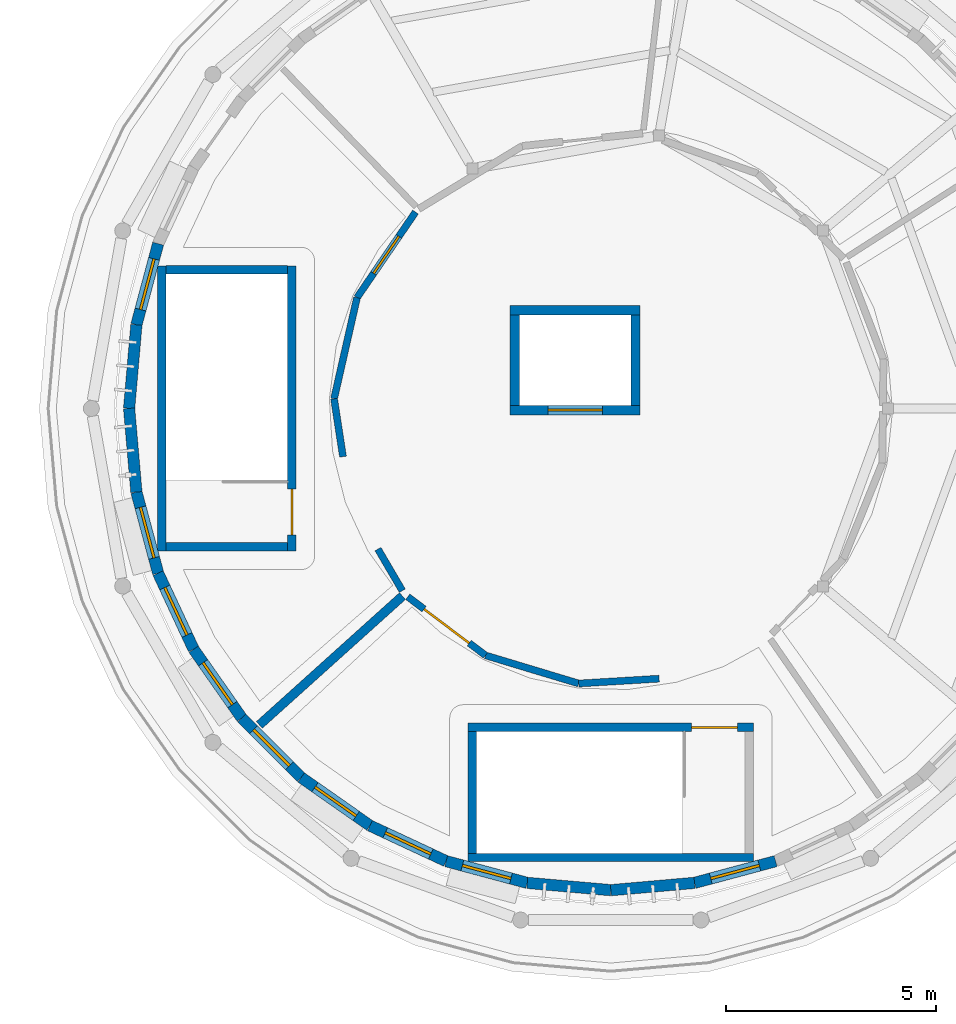
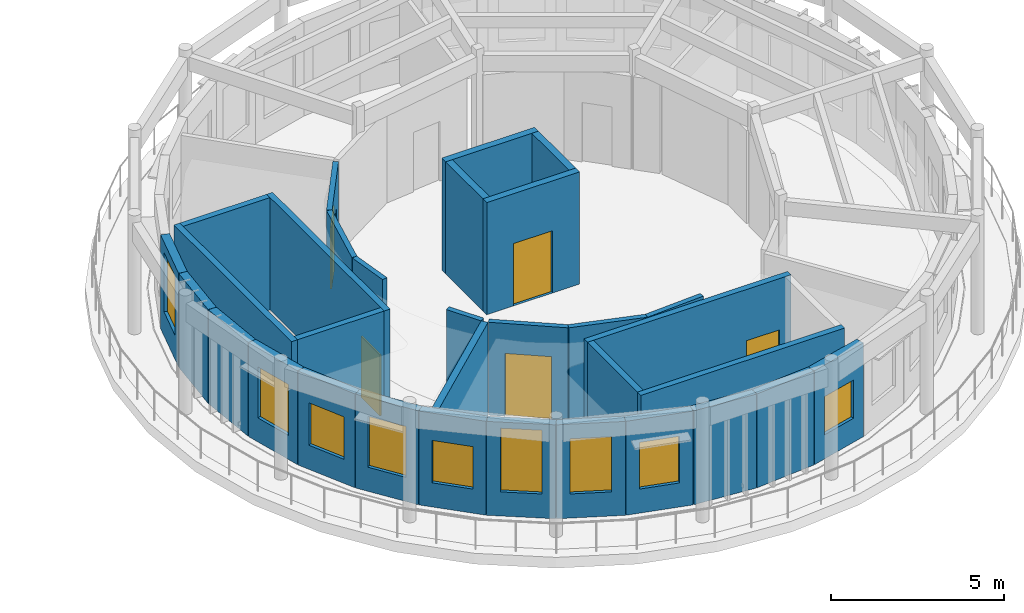
# One storey, part 16 of 30: 32 walls, 9 windows, 5 doors, 14 openings.
"""IFC4 building model written with IfcOpenShell, lengths in metres."""

from ifc_helpers import new_model, si_unit, direction, frame, frame_2d, origin, place, context, subcontext, project, spatial, rectangle, extrude, material, layer, layer_set, type_object, element, fill, save


model = new_model("IFC4")

# Units and contexts
model_context = context("Model", 3, precision=1e-05, world=origin(), true_north=direction((0.0, 1.0)))
body_context = subcontext(model_context, "Body", "Model", "MODEL_VIEW")
ifc_project = project(units=[si_unit("LENGTHUNIT", "METRE"), si_unit("AREAUNIT", "SQUARE_METRE"), si_unit("VOLUMEUNIT", "CUBIC_METRE"), si_unit("PLANEANGLEUNIT", "RADIAN"), si_unit("MASSUNIT", "GRAM", prefix="KILO")], contexts=[model_context])

# Site, building, storey
site_placement = place(None, origin())
site = spatial("IfcSite", under=ifc_project, at=site_placement, CompositionType="ELEMENT")
building_placement = place(site_placement, origin())
building = spatial("IfcBuilding", under=site, at=building_placement, Name="Aldenvaro Health Centre", CompositionType="ELEMENT")
storey_placement = place(building_placement, frame((0.0, 0.0, 17.14990234375)))
storey = spatial("IfcBuildingStorey", under=building, at=storey_placement, Name="L04", CompositionType="ELEMENT", Elevation=17.14990234375)

# Wall, opening, door
ifc_material_1 = material(Name="Gypsum Stud Acoustic Assembly")
ifc_layer_1 = layer(ifc_material_1, 0.1650390625, Name="Gypsum Stud Acoustic Assembly")
ifc_layer_set_1 = layer_set([ifc_layer_1], Name="Gypsum Stud Acoustic Assembly")
wall_type_1 = type_object("IfcWallType", Name="WL-COR-165", PredefinedType="PARTITIONING", material=ifc_layer_set_1)
wall_1_placement = place(storey_placement, frame((13.844970703125, 23.178955078125, 0.0), z_axis=(0.0, 0.0, 1.0), x_axis=(-0.564379150031, -0.825515702462, 0.0)))
wall_1 = element("IfcWall", 1, at=wall_1_placement, inside=storey, type_object=wall_type_1, Name="D5 L04 corridor wall 01.1", PredefinedType="PARTITIONING", context=body_context, shape_type="SweptSolid", body=[
    extrude(rectangle(XDim=2.469970703125, YDim=0.1650390625, at=frame_2d((1.23486328125, 0.0))), origin(), (0.0, 0.0, 1.0), 3.279052734375),
])
opening_1_placement = place(wall_1_placement, frame((0.699951171875, 0.0, 0.0)))
opening_1 = element("IfcOpeningElement", 2, at=opening_1_placement, cuts=wall_1, Name="Opening D-21", PredefinedType="OPENING", context=body_context, shape_type="SweptSolid", body=[
    extrude(rectangle(XDim=1.070068359375, YDim=2.199951171875, at=frame_2d((0.53515625, 1.10009765625))), frame((0.0, 0.092529296875, 0.0), z_axis=(0.0, -1.0, 0.0), x_axis=(1.0, 0.0, 0.0)), (0.0, 0.0, 1.0), 0.18505859375),
])
ifc_material_2 = material(Name="Exam Suite Timber Door", Category="wood")
door_type_1 = type_object("IfcDoorType", Name="DR-CLN-21", OperationType="NOTDEFINED", PredefinedType="DOOR", material=ifc_material_2)
door_1_placement = place(opening_1_placement, origin())
door_1 = element("IfcDoor", 3, at=door_1_placement, inside=storey, type_object=door_type_1, Name="Clinical Quality Assurance Office Door", OperationType="SINGLE_SWING_LEFT", OverallHeight=2.199951171875, OverallWidth=1.070068359375, PredefinedType="DOOR", context=body_context, shape_type="SweptSolid", body=[
    extrude(rectangle(XDim=1.070068359375, YDim=2.199951171875, at=frame_2d((0.53515625, 1.10009765625))), frame((0.0, 0.02490234375, 0.0), z_axis=(0.0, -1.0, 0.0), x_axis=(1.0, 0.0, 0.0)), (0.0, 0.0, 1.0), 0.050048828125),
])
fill(opening_1, door_1)

# Walls
wall_2_placement = place(storey_placement, frame((12.450927734375, 21.139892578125, 0.0), z_axis=(0.0, 0.0, 1.0), x_axis=(-0.221300832748, -0.975205589312, 0.0)))
element("IfcWall", 4, at=wall_2_placement, inside=storey, type_object=wall_type_1, Name="D5 L04 corridor wall 01.2", PredefinedType="PARTITIONING", context=body_context, shape_type="SweptSolid", body=[
    extrude(rectangle(XDim=2.47119140625, YDim=0.1650390625, at=frame_2d((1.235595703125, 0.0))), origin(), (0.0, 0.0, 1.0), 3.279052734375),
])
wall_3_placement = place(storey_placement, frame((11.904052734375, 18.72998046875, 0.0), z_axis=(0.0, 0.0, 1.0), x_axis=(0.15247764233, -0.988306920238, 0.0)))
element("IfcWall", 5, at=wall_3_placement, inside=storey, type_object=wall_type_1, Name="D5 L04 corridor wall 01.3", PredefinedType="PARTITIONING", context=body_context, shape_type="SweptSolid", body=[
    extrude(rectangle(XDim=1.396240234375, YDim=0.1650390625, at=frame_2d((0.6982421875, 0.0))), origin(), (0.0, 0.0, 1.0), 3.279052734375),
])
wall_4_placement = place(storey_placement, frame((12.949951171875, 15.14794921875, 0.0), z_axis=(0.0, 0.0, 1.0), x_axis=(0.505179201569, -0.863014469347, 0.0)))
element("IfcWall", 6, at=wall_4_placement, inside=storey, type_object=wall_type_1, Name="D5 L04 corridor wall 01.4", PredefinedType="PARTITIONING", context=body_context, shape_type="SweptSolid", body=[
    extrude(rectangle(XDim=1.148193359375, YDim=0.1650390625, at=frame_2d((0.57421875, 0.0))), origin(), (0.0, 0.0, 1.0), 3.279052734375),
])

# Wall, opening, door
wall_5_placement = place(storey_placement, frame((13.660888671875, 14.010986328125, 0.0), z_axis=(0.0, 0.0, 1.0), x_axis=(0.798557639329, -0.601918347177, 0.0)))
wall_5 = element("IfcWall", 7, at=wall_5_placement, inside=storey, type_object=wall_type_1, Name="D5 L04 corridor wall 02.1", PredefinedType="PARTITIONING", context=body_context, shape_type="SweptSolid", body=[
    extrude(rectangle(XDim=2.3193359375, YDim=0.1650390625, at=frame_2d((1.15966796875, 0.0))), origin(), (0.0, 0.0, 1.0), 3.279052734375),
])
opening_2_placement = place(wall_5_placement, frame((0.485107421875, 0.0, 0.0)))
opening_2 = element("IfcOpeningElement", 8, at=opening_2_placement, cuts=wall_5, Name="Opening XD-02", PredefinedType="OPENING", context=body_context, shape_type="SweptSolid", body=[
    extrude(rectangle(XDim=1.35009765625, YDim=2.219970703125, at=frame_2d((0.675048828125, 1.10986328125))), frame((0.0, 0.092529296875, 0.0), z_axis=(0.0, -1.0, 0.0), x_axis=(1.0, 0.0, 0.0)), (0.0, 0.0, 1.0), 0.18505859375),
])
ifc_material_3 = material(Name="RF-Shielded MRI Suite Door")
door_type_2 = type_object("IfcDoorType", Name="DR-IMG-135", OperationType="NOTDEFINED", PredefinedType="DOOR", material=ifc_material_3)
door_2_placement = place(opening_2_placement, origin())
door_2 = element("IfcDoor", 9, at=door_2_placement, inside=storey, type_object=door_type_2, Name="Medical Physics Calibration Lab Door", OperationType="SINGLE_SWING_RIGHT", OverallHeight=2.219970703125, OverallWidth=1.35009765625, PredefinedType="DOOR", context=body_context, shape_type="SweptSolid", body=[
    extrude(rectangle(XDim=1.35009765625, YDim=2.219970703125, at=frame_2d((0.675048828125, 1.10986328125))), frame((0.0, 0.02490234375, 0.0), z_axis=(0.0, -1.0, 0.0), x_axis=(1.0, 0.0, 0.0)), (0.0, 0.0, 1.0), 0.050048828125),
])
fill(opening_2, door_2)

# Walls
wall_6_placement = place(storey_placement, frame((15.512939453125, 12.614990234375, 0.0), z_axis=(0.0, 0.0, 1.0), x_axis=(0.957393612843, -0.288786201346, 0.0)))
element("IfcWall", 10, at=wall_6_placement, inside=storey, type_object=wall_type_1, Name="D5 L04 corridor wall 02.2", PredefinedType="PARTITIONING", context=body_context, shape_type="SweptSolid", body=[
    extrude(rectangle(XDim=2.31982421875, YDim=0.1650390625, at=frame_2d((1.159912109375, 0.0))), origin(), (0.0, 0.0, 1.0), 3.279052734375),
])
wall_7_placement = place(storey_placement, frame((17.73388671875, 11.945068359375, 0.0), z_axis=(0.0, 0.0, 1.0), x_axis=(0.998203932851, 0.059907499028, 0.0)))
element("IfcWall", 11, at=wall_7_placement, inside=storey, type_object=wall_type_1, Name="D5 L04 corridor wall 02.3", PredefinedType="PARTITIONING", context=body_context, shape_type="SweptSolid", body=[
    extrude(rectangle(XDim=1.91943359375, YDim=0.1650390625, at=frame_2d((0.959716796875, 0.0))), origin(), (0.0, 0.0, 1.0), 3.279052734375),
])

# Wall, opening, window
ifc_material_4 = material(Name="Cross-laminated timber CLT E1", Category="wood")
ifc_layer_2 = layer(ifc_material_4, 0.27001953125, Name="Cross-laminated timber CLT E1", Category="wood")
ifc_layer_set_2 = layer_set([ifc_layer_2], Name="Cross-laminated timber CLT E1")
wall_type_2 = type_object("IfcWallType", Name="WL-EXT-270", PredefinedType="ELEMENTEDWALL", material=ifc_layer_set_2)
wall_8_placement = place(storey_placement, frame((22.426025390625, 7.7119140625, 0.0), z_axis=(0.0, 0.0, 1.0), x_axis=(-0.965944784715, -0.258748280927, 0.0)))
wall_8 = element("IfcWall", 12, at=wall_8_placement, inside=storey, type_object=wall_type_2, Name="D5 L04 exterior wall 07", PredefinedType="ELEMENTEDWALL", context=body_context, shape_type="SweptSolid", body=[
    extrude(rectangle(XDim=2.001220703125, YDim=0.27001953125, at=frame_2d((1.00048828125, 0.0))), origin(), (0.0, 0.0, 1.0), 3.314208984375),
])
opening_3_placement = place(wall_8_placement, frame((0.40087890625, 0.0, 0.85009765625)))
opening_3 = element("IfcOpeningElement", 13, at=opening_3_placement, cuts=wall_8, Name="Opening W-36", PredefinedType="OPENING", context=body_context, shape_type="SweptSolid", body=[
    extrude(rectangle(XDim=1.199951171875, YDim=1.35009765625, at=frame_2d((0.60009765625, 0.675048828125))), frame((0.0, 0.14501953125, 0.0), z_axis=(0.0, -1.0, 0.0), x_axis=(1.0, 0.0, 0.0)), (0.0, 0.0, 1.0), 0.2900390625),
])
ifc_material_5 = material(Name="Thermally Broken Aluminium Low-E Glass", Category="aluminium")
window_type_1 = type_object("IfcWindowType", Name="WN-EXT-36", PartitioningType="SINGLE_PANEL", PredefinedType="WINDOW", material=ifc_material_5)
window_1_placement = place(opening_3_placement, origin())
window_1 = element("IfcWindow", 14, at=window_1_placement, inside=storey, type_object=window_type_1, Name="D5 L04 clinical window 07", OverallHeight=1.35009765625, OverallWidth=1.199951171875, PartitioningType="SINGLE_PANEL", PredefinedType="WINDOW", context=body_context, shape_type="SweptSolid", body=[
    extrude(rectangle(XDim=1.199951171875, YDim=1.35009765625, at=frame_2d((0.60009765625, 0.675048828125))), frame((0.0, 0.030029296875, 0.0), z_axis=(0.0, -1.0, 0.0), x_axis=(1.0, 0.0, 0.0)), (0.0, 0.0, 1.0), 0.06005859375),
])
fill(opening_3, window_1)

# Walls
for number, where, z_axis, x_axis, name in (
    (15, (20.492919921875, 7.194091796875, 0.0), (0.0, 0.0, 1.0), (-0.996207084861, -0.087014045266, 0.0), "D5 L04 exterior wall 08"),
    (16, (18.5, 7.02001953125, 0.0), (0.0, 0.0, 1.0), (-0.996207084861, 0.087014045266, 0.0), "D5 L04 exterior wall 09"),
):
    element("IfcWall", number, at=place(storey_placement, frame(where, z_axis=z_axis, x_axis=x_axis)), inside=storey, type_object=wall_type_2, Name=name, PredefinedType="ELEMENTEDWALL", context=body_context, shape_type="SweptSolid", body=[
        extrude(rectangle(XDim=2.00048828125, YDim=0.27001953125, at=frame_2d((1.000244140625, 0.0))), origin(), (0.0, 0.0, 1.0), 3.314208984375),
    ])

# Wall, opening, window
wall_9_placement = place(storey_placement, frame((16.507080078125, 7.194091796875, 0.0), z_axis=(0.0, 0.0, 1.0), x_axis=(-0.965944784715, 0.258748280927, 0.0)))
wall_9 = element("IfcWall", 17, at=wall_9_placement, inside=storey, type_object=wall_type_2, Name="D5 L04 exterior wall 10", PredefinedType="ELEMENTEDWALL", context=body_context, shape_type="SweptSolid", body=[
    extrude(rectangle(XDim=2.001220703125, YDim=0.27001953125, at=frame_2d((1.00048828125, 0.0))), origin(), (0.0, 0.0, 1.0), 3.314208984375),
])
opening_4_placement = place(wall_9_placement, frame((0.40087890625, 0.0, 0.85009765625)))
opening_4 = element("IfcOpeningElement", 18, at=opening_4_placement, cuts=wall_9, Name="Opening W-37", PredefinedType="OPENING", context=body_context, shape_type="SweptSolid", body=[
    extrude(rectangle(XDim=1.199951171875, YDim=1.64990234375, at=frame_2d((0.60009765625, 0.824951171875))), frame((0.0, 0.14501953125, 0.0), z_axis=(0.0, -1.0, 0.0), x_axis=(1.0, 0.0, 0.0)), (0.0, 0.0, 1.0), 0.2900390625),
])
window_type_2 = type_object("IfcWindowType", Name="WN-EXT-37", PartitioningType="SINGLE_PANEL", PredefinedType="WINDOW", material=ifc_material_5)
window_2_placement = place(opening_4_placement, origin())
window_2 = element("IfcWindow", 19, at=window_2_placement, inside=storey, type_object=window_type_2, Name="D5 L04 clinical window 10", OverallHeight=1.64990234375, OverallWidth=1.199951171875, PartitioningType="SINGLE_PANEL", PredefinedType="WINDOW", context=body_context, shape_type="SweptSolid", body=[
    extrude(rectangle(XDim=1.199951171875, YDim=1.64990234375, at=frame_2d((0.60009765625, 0.824951171875))), frame((0.0, 0.030029296875, 0.0), z_axis=(0.0, -1.0, 0.0), x_axis=(1.0, 0.0, 0.0)), (0.0, 0.0, 1.0), 0.06005859375),
])
fill(opening_4, window_2)

wall_10_placement = place(storey_placement, frame((14.573974609375, 7.7119140625, 0.0), z_axis=(0.0, 0.0, 1.0), x_axis=(-0.906245451167, 0.422751915713, 0.0)))
wall_10 = element("IfcWall", 20, at=wall_10_placement, inside=storey, type_object=wall_type_2, Name="D5 L04 exterior wall 11", PredefinedType="ELEMENTEDWALL", context=body_context, shape_type="SweptSolid", body=[
    extrude(rectangle(XDim=2.001708984375, YDim=0.27001953125, at=frame_2d((1.0009765625, 0.0))), origin(), (0.0, 0.0, 1.0), 3.314208984375),
])
opening_5_placement = place(wall_10_placement, frame((0.40087890625, 0.0, 0.85009765625)))
opening_5 = element("IfcOpeningElement", 21, at=opening_5_placement, cuts=wall_10, Name="Opening W-38", PredefinedType="OPENING", context=body_context, shape_type="SweptSolid", body=[
    extrude(rectangle(XDim=1.199951171875, YDim=1.949951171875, at=frame_2d((0.60009765625, 0.97509765625))), frame((0.0, 0.14501953125, 0.0), z_axis=(0.0, -1.0, 0.0), x_axis=(1.0, 0.0, 0.0)), (0.0, 0.0, 1.0), 0.2900390625),
])
window_type_3 = type_object("IfcWindowType", Name="WN-EXT-38", PartitioningType="SINGLE_PANEL", PredefinedType="WINDOW", material=ifc_material_5)
window_3_placement = place(opening_5_placement, origin())
window_3 = element("IfcWindow", 22, at=window_3_placement, inside=storey, type_object=window_type_3, Name="D5 L04 clinical window 11", OverallHeight=1.949951171875, OverallWidth=1.199951171875, PartitioningType="SINGLE_PANEL", PredefinedType="WINDOW", context=body_context, shape_type="SweptSolid", body=[
    extrude(rectangle(XDim=1.199951171875, YDim=1.949951171875, at=frame_2d((0.60009765625, 0.97509765625))), frame((0.0, 0.030029296875, 0.0), z_axis=(0.0, -1.0, 0.0), x_axis=(1.0, 0.0, 0.0)), (0.0, 0.0, 1.0), 0.06005859375),
])
fill(opening_5, window_3)

wall_11_placement = place(storey_placement, frame((12.760009765625, 8.55810546875, 0.0), z_axis=(0.0, 0.0, 1.0), x_axis=(-0.819065655169, 0.573699793029, 0.0)))
wall_11 = element("IfcWall", 23, at=wall_11_placement, inside=storey, type_object=wall_type_2, Name="D5 L04 exterior wall 12", PredefinedType="ELEMENTEDWALL", context=body_context, shape_type="SweptSolid", body=[
    extrude(rectangle(XDim=2.0009765625, YDim=0.27001953125, at=frame_2d((1.00048828125, 0.0))), origin(), (0.0, 0.0, 1.0), 3.314208984375),
])
opening_6_placement = place(wall_11_placement, frame((0.40087890625, 0.0, 0.85009765625)))
opening_6 = element("IfcOpeningElement", 24, at=opening_6_placement, cuts=wall_11, Name="Opening W-39", PredefinedType="OPENING", context=body_context, shape_type="SweptSolid", body=[
    extrude(rectangle(XDim=1.199951171875, YDim=2.25, at=frame_2d((0.60009765625, 1.125))), frame((0.0, 0.14501953125, 0.0), z_axis=(0.0, -1.0, 0.0), x_axis=(1.0, 0.0, 0.0)), (0.0, 0.0, 1.0), 0.2900390625),
])
window_type_4 = type_object("IfcWindowType", Name="WN-EXT-39", PartitioningType="SINGLE_PANEL", PredefinedType="WINDOW", material=ifc_material_5)
window_4_placement = place(opening_6_placement, origin())
window_4 = element("IfcWindow", 25, at=window_4_placement, inside=storey, type_object=window_type_4, Name="D5 L04 clinical window 12", OverallHeight=2.25, OverallWidth=1.199951171875, PartitioningType="SINGLE_PANEL", PredefinedType="WINDOW", context=body_context, shape_type="SweptSolid", body=[
    extrude(rectangle(XDim=1.199951171875, YDim=2.25, at=frame_2d((0.60009765625, 1.125))), frame((0.0, 0.030029296875, 0.0), z_axis=(0.0, -1.0, 0.0), x_axis=(1.0, 0.0, 0.0)), (0.0, 0.0, 1.0), 0.06005859375),
])
fill(opening_6, window_4)

wall_12_placement = place(storey_placement, frame((11.12109375, 9.7060546875, 0.0), z_axis=(0.0, 0.0, 1.0), x_axis=(-0.707106781187, 0.707106781187, 0.0)))
wall_12 = element("IfcWall", 26, at=wall_12_placement, inside=storey, type_object=wall_type_2, Name="D5 L04 exterior wall 13", PredefinedType="ELEMENTEDWALL", context=body_context, shape_type="SweptSolid", body=[
    extrude(rectangle(XDim=2.001220703125, YDim=0.27001953125, at=frame_2d((1.00048828125, 0.0))), origin(), (0.0, 0.0, 1.0), 3.314208984375),
])
opening_7_placement = place(wall_12_placement, frame((0.39111328125, 0.0, 0.85009765625)))
opening_7 = element("IfcOpeningElement", 27, at=opening_7_placement, cuts=wall_12, Name="Opening W-40", PredefinedType="OPENING", context=body_context, shape_type="SweptSolid", body=[
    extrude(rectangle(XDim=1.219970703125, YDim=1.5, at=frame_2d((0.60986328125, 0.75))), frame((0.0, 0.14501953125, 0.0), z_axis=(0.0, -1.0, 0.0), x_axis=(1.0, 0.0, 0.0)), (0.0, 0.0, 1.0), 0.2900390625),
])
window_type_5 = type_object("IfcWindowType", Name="WN-EXT-40", PartitioningType="SINGLE_PANEL", PredefinedType="WINDOW", material=ifc_material_5)
window_5_placement = place(opening_7_placement, origin())
window_5 = element("IfcWindow", 28, at=window_5_placement, inside=storey, type_object=window_type_5, Name="D5 L04 clinical window 13", OverallHeight=1.5, OverallWidth=1.219970703125, PartitioningType="SINGLE_PANEL", PredefinedType="WINDOW", context=body_context, shape_type="SweptSolid", body=[
    extrude(rectangle(XDim=1.219970703125, YDim=1.5, at=frame_2d((0.60986328125, 0.75))), frame((0.0, 0.030029296875, 0.0), z_axis=(0.0, -1.0, 0.0), x_axis=(1.0, 0.0, 0.0)), (0.0, 0.0, 1.0), 0.06005859375),
])
fill(opening_7, window_5)

wall_13_placement = place(storey_placement, frame((9.7060546875, 11.12109375, 0.0), z_axis=(0.0, 0.0, 1.0), x_axis=(-0.573699793029, 0.819065655169, 0.0)))
wall_13 = element("IfcWall", 29, at=wall_13_placement, inside=storey, type_object=wall_type_2, Name="D5 L04 exterior wall 14", PredefinedType="ELEMENTEDWALL", context=body_context, shape_type="SweptSolid", body=[
    extrude(rectangle(XDim=2.0009765625, YDim=0.27001953125, at=frame_2d((1.00048828125, 0.0))), origin(), (0.0, 0.0, 1.0), 3.314208984375),
])
opening_8_placement = place(wall_13_placement, frame((0.39111328125, 0.0, 0.85009765625)))
opening_8 = element("IfcOpeningElement", 30, at=opening_8_placement, cuts=wall_13, Name="Opening W-41", PredefinedType="OPENING", context=body_context, shape_type="SweptSolid", body=[
    extrude(rectangle(XDim=1.219970703125, YDim=1.800048828125, at=frame_2d((0.60986328125, 0.89990234375))), frame((0.0, 0.14501953125, 0.0), z_axis=(0.0, -1.0, 0.0), x_axis=(1.0, 0.0, 0.0)), (0.0, 0.0, 1.0), 0.2900390625),
])
window_type_6 = type_object("IfcWindowType", Name="WN-EXT-41", PartitioningType="SINGLE_PANEL", PredefinedType="WINDOW", material=ifc_material_5)
window_6_placement = place(opening_8_placement, origin())
window_6 = element("IfcWindow", 31, at=window_6_placement, inside=storey, type_object=window_type_6, Name="D5 L04 clinical window 14", OverallHeight=1.800048828125, OverallWidth=1.219970703125, PartitioningType="SINGLE_PANEL", PredefinedType="WINDOW", context=body_context, shape_type="SweptSolid", body=[
    extrude(rectangle(XDim=1.219970703125, YDim=1.800048828125, at=frame_2d((0.60986328125, 0.89990234375))), frame((0.0, 0.030029296875, 0.0), z_axis=(0.0, -1.0, 0.0), x_axis=(1.0, 0.0, 0.0)), (0.0, 0.0, 1.0), 0.06005859375),
])
fill(opening_8, window_6)

wall_14_placement = place(storey_placement, frame((8.55810546875, 12.760009765625, 0.0), z_axis=(0.0, 0.0, 1.0), x_axis=(-0.422751915713, 0.906245451167, 0.0)))
wall_14 = element("IfcWall", 32, at=wall_14_placement, inside=storey, type_object=wall_type_2, Name="D5 L04 exterior wall 15", PredefinedType="ELEMENTEDWALL", context=body_context, shape_type="SweptSolid", body=[
    extrude(rectangle(XDim=2.001708984375, YDim=0.27001953125, at=frame_2d((1.0009765625, 0.0))), origin(), (0.0, 0.0, 1.0), 3.314208984375),
])
opening_9_placement = place(wall_14_placement, frame((0.3759765625, 0.0, 0.85009765625)))
opening_9 = element("IfcOpeningElement", 33, at=opening_9_placement, cuts=wall_14, Name="Opening W-42", PredefinedType="OPENING", context=body_context, shape_type="SweptSolid", body=[
    extrude(rectangle(XDim=1.25, YDim=1.5, at=frame_2d((0.625, 0.75))), frame((0.0, 0.14501953125, 0.0), z_axis=(0.0, -1.0, 0.0), x_axis=(1.0, 0.0, 0.0)), (0.0, 0.0, 1.0), 0.2900390625),
])
window_type_7 = type_object("IfcWindowType", Name="WN-EXT-42", PartitioningType="SINGLE_PANEL", PredefinedType="WINDOW", material=ifc_material_5)
window_7_placement = place(opening_9_placement, origin())
window_7 = element("IfcWindow", 34, at=window_7_placement, inside=storey, type_object=window_type_7, Name="D5 L04 clinical window 15", OverallHeight=1.5, OverallWidth=1.25, PartitioningType="SINGLE_PANEL", PredefinedType="WINDOW", context=body_context, shape_type="SweptSolid", body=[
    extrude(rectangle(XDim=1.25, YDim=1.5, at=frame_2d((0.625, 0.75))), frame((0.0, 0.030029296875, 0.0), z_axis=(0.0, -1.0, 0.0), x_axis=(1.0, 0.0, 0.0)), (0.0, 0.0, 1.0), 0.06005859375),
])
fill(opening_9, window_7)

wall_15_placement = place(storey_placement, frame((7.7119140625, 14.573974609375, 0.0), z_axis=(0.0, 0.0, 1.0), x_axis=(-0.258748280927, 0.965944784715, 0.0)))
wall_15 = element("IfcWall", 35, at=wall_15_placement, inside=storey, type_object=wall_type_2, Name="D5 L04 exterior wall 16", PredefinedType="ELEMENTEDWALL", context=body_context, shape_type="SweptSolid", body=[
    extrude(rectangle(XDim=2.001220703125, YDim=0.27001953125, at=frame_2d((1.00048828125, 0.0))), origin(), (0.0, 0.0, 1.0), 3.314208984375),
])
opening_10_placement = place(wall_15_placement, frame((0.3759765625, 0.0, 0.85009765625)))
opening_10 = element("IfcOpeningElement", 36, at=opening_10_placement, cuts=wall_15, Name="Opening W-43", PredefinedType="OPENING", context=body_context, shape_type="SweptSolid", body=[
    extrude(rectangle(XDim=1.25, YDim=1.800048828125, at=frame_2d((0.625, 0.89990234375))), frame((0.0, 0.14501953125, 0.0), z_axis=(0.0, -1.0, 0.0), x_axis=(1.0, 0.0, 0.0)), (0.0, 0.0, 1.0), 0.2900390625),
])
window_type_8 = type_object("IfcWindowType", Name="WN-EXT-43", PartitioningType="SINGLE_PANEL", PredefinedType="WINDOW", material=ifc_material_5)
window_8_placement = place(opening_10_placement, origin())
window_8 = element("IfcWindow", 37, at=window_8_placement, inside=storey, type_object=window_type_8, Name="D5 L04 clinical window 16", OverallHeight=1.800048828125, OverallWidth=1.25, PartitioningType="SINGLE_PANEL", PredefinedType="WINDOW", context=body_context, shape_type="SweptSolid", body=[
    extrude(rectangle(XDim=1.25, YDim=1.800048828125, at=frame_2d((0.625, 0.89990234375))), frame((0.0, 0.030029296875, 0.0), z_axis=(0.0, -1.0, 0.0), x_axis=(1.0, 0.0, 0.0)), (0.0, 0.0, 1.0), 0.06005859375),
])
fill(opening_10, window_8)

# Walls
for number, where, z_axis, x_axis, name in (
    (38, (7.194091796875, 16.507080078125, 0.0), (0.0, 0.0, 1.0), (-0.087014045266, 0.996207084861, 0.0), "D5 L04 exterior wall 17"),
    (39, (7.02001953125, 18.5, 0.0), (0.0, 0.0, 1.0), (0.087014045266, 0.996207084861, 0.0), "D5 L04 exterior wall 18"),
):
    element("IfcWall", number, at=place(storey_placement, frame(where, z_axis=z_axis, x_axis=x_axis)), inside=storey, type_object=wall_type_2, Name=name, PredefinedType="ELEMENTEDWALL", context=body_context, shape_type="SweptSolid", body=[
        extrude(rectangle(XDim=2.00048828125, YDim=0.27001953125, at=frame_2d((1.000244140625, 0.0))), origin(), (0.0, 0.0, 1.0), 3.314208984375),
    ])

# Wall, opening, window
wall_16_placement = place(storey_placement, frame((7.194091796875, 20.492919921875, 0.0), z_axis=(0.0, 0.0, 1.0), x_axis=(0.258748280927, 0.965944784715, 0.0)))
wall_16 = element("IfcWall", 40, at=wall_16_placement, inside=storey, type_object=wall_type_2, Name="D5 L04 exterior wall 19", PredefinedType="ELEMENTEDWALL", context=body_context, shape_type="SweptSolid", body=[
    extrude(rectangle(XDim=2.001220703125, YDim=0.27001953125, at=frame_2d((1.00048828125, 0.0))), origin(), (0.0, 0.0, 1.0), 3.314208984375),
])
opening_11_placement = place(wall_16_placement, frame((0.3759765625, 0.0, 0.85009765625)))
opening_11 = element("IfcOpeningElement", 41, at=opening_11_placement, cuts=wall_16, Name="Opening W-44", PredefinedType="OPENING", context=body_context, shape_type="SweptSolid", body=[
    extrude(rectangle(XDim=1.25, YDim=2.10009765625, at=frame_2d((0.625, 1.050048828125))), frame((0.0, 0.14501953125, 0.0), z_axis=(0.0, -1.0, 0.0), x_axis=(1.0, 0.0, 0.0)), (0.0, 0.0, 1.0), 0.2900390625),
])
window_type_9 = type_object("IfcWindowType", Name="WN-EXT-44", PartitioningType="SINGLE_PANEL", PredefinedType="WINDOW", material=ifc_material_5)
window_9_placement = place(opening_11_placement, origin())
window_9 = element("IfcWindow", 42, at=window_9_placement, inside=storey, type_object=window_type_9, Name="D5 L04 clinical window 19", OverallHeight=2.10009765625, OverallWidth=1.25, PartitioningType="SINGLE_PANEL", PredefinedType="WINDOW", context=body_context, shape_type="SweptSolid", body=[
    extrude(rectangle(XDim=1.25, YDim=2.10009765625, at=frame_2d((0.625, 1.050048828125))), frame((0.0, 0.030029296875, 0.0), z_axis=(0.0, -1.0, 0.0), x_axis=(1.0, 0.0, 0.0)), (0.0, 0.0, 1.0), 0.06005859375),
])
fill(opening_11, window_9)

# Wall
ifc_material_6 = material(Name="Concrete f'c 35 MPa", Category="concrete")
ifc_layer_3 = layer(ifc_material_6, 0.215087890625, Name="Concrete f'c 35 MPa", Category="concrete")
ifc_layer_set_3 = layer_set([ifc_layer_3], Name="Concrete f'c 35 MPa")
wall_type_3 = type_object("IfcWallType", Name="WL-IMG-215", PredefinedType="SOLIDWALL", material=ifc_layer_set_3)
wall_17_placement = place(storey_placement, frame((13.533935546875, 14.028076171875, 0.0), z_axis=(0.0, 0.0, 1.0), x_axis=(-0.743275623073, -0.668985312354, 0.0)))
element("IfcWall", 43, at=wall_17_placement, inside=storey, type_object=wall_type_3, Name="D5 L04 clinical partition 2.1", PredefinedType="SOLIDWALL", context=body_context, shape_type="SweptSolid", body=[
    extrude(rectangle(XDim=4.587646484375, YDim=0.215087890625, at=frame_2d((2.2939453125, 0.0))), origin(), (0.0, 0.0, 1.0), 3.279052734375),
])

# Wall, opening, door
ifc_material_7 = material(Name="Concrete f'c 40 MPa", Category="concrete")
ifc_layer_4 = layer(ifc_material_7, 0.199951171875, Name="Concrete f'c 40 MPa", Category="concrete")
ifc_layer_set_4 = layer_set([ifc_layer_4], Name="Concrete f'c 40 MPa")
wall_type_4 = type_object("IfcWallType", Name="WL-SHAFT-200", PredefinedType="SHEAR", material=ifc_layer_set_4)
wall_18_placement = place(storey_placement, frame((10.89990234375, 15.10009765625, 0.0), z_axis=(0.0, 0.0, 1.0), x_axis=(0.0, 1.0, 0.0)))
wall_18 = element("IfcWall", 44, at=wall_18_placement, inside=storey, type_object=wall_type_4, Name="ST-09 L04 inner core wall", PredefinedType="SHEAR", context=body_context, shape_type="SweptSolid", body=[
    extrude(rectangle(XDim=6.7998046875, YDim=0.199951171875, at=frame_2d((3.39990234375, 0.0))), origin(), (0.0, 0.0, 1.0), 3.960205078125),
])
opening_12_placement = place(wall_18_placement, frame((0.3798828125, 0.0, 0.0)))
opening_12 = element("IfcOpeningElement", 45, at=opening_12_placement, cuts=wall_18, Name="Opening FD-01", PredefinedType="OPENING", context=body_context, shape_type="SweptSolid", body=[
    extrude(rectangle(XDim=1.10009765625, YDim=2.14990234375, at=frame_2d((0.550048828125, 1.074951171875))), frame((0.0, 0.10986328125, 0.0), z_axis=(0.0, -1.0, 0.0), x_axis=(1.0, 0.0, 0.0)), (0.0, 0.0, 1.0), 0.219970703125),
])
ifc_material_8 = material(Name="Fire-Rated Steel Door Assembly", Category="steel")
door_type_3 = type_object("IfcDoorType", Name="DR-STAIR-110", OperationType="NOTDEFINED", PredefinedType="DOOR", material=ifc_material_8)
door_3_placement = place(opening_12_placement, origin())
door_3 = element("IfcDoor", 46, at=door_3_placement, inside=storey, type_object=door_type_3, Name="ST-09 L04 fire stair door", OperationType="SINGLE_SWING_RIGHT", OverallHeight=2.14990234375, OverallWidth=1.10009765625, PredefinedType="DOOR", context=body_context, shape_type="SweptSolid", body=[
    extrude(rectangle(XDim=1.10009765625, YDim=2.14990234375, at=frame_2d((0.550048828125, 1.074951171875))), frame((0.0, 0.02490234375, 0.0), z_axis=(0.0, -1.0, 0.0), x_axis=(1.0, 0.0, 0.0)), (0.0, 0.0, 1.0), 0.050048828125),
])
fill(opening_12, door_3)

# Walls
wall_19_placement = place(storey_placement, frame((7.800048828125, 15.10009765625, 0.0), z_axis=(0.0, 0.0, 1.0), x_axis=(0.0, 1.0, 0.0)))
element("IfcWall", 47, at=wall_19_placement, inside=storey, type_object=wall_type_4, Name="ST-09 L04 core wall OUT", PredefinedType="SHEAR", context=body_context, shape_type="SweptSolid", body=[
    extrude(rectangle(XDim=6.7998046875, YDim=0.199951171875, at=frame_2d((3.39990234375, 0.0))), origin(), (0.0, 0.0, 1.0), 3.960205078125),
])
for number, where, z_axis, x_axis, name in (
    (48, (10.800048828125, 15.199951171875, 0.0), (0.0, 0.0, 1.0), (-1.0, 0.0, 0.0), "ST-09 L04 core wall L"),
    (49, (10.800048828125, 21.800048828125, 0.0), (0.0, 0.0, 1.0), (-1.0, 0.0, 0.0), "ST-09 L04 core wall R"),
):
    element("IfcWall", number, at=place(storey_placement, frame(where, z_axis=z_axis, x_axis=x_axis)), inside=storey, type_object=wall_type_4, Name=name, PredefinedType="SHEAR", context=body_context, shape_type="SweptSolid", body=[
        extrude(rectangle(XDim=2.900146484375, YDim=0.199951171875, at=frame_2d((1.4501953125, 0.0))), origin(), (0.0, 0.0, 1.0), 3.960205078125),
    ])

# Wall, opening, door
wall_20_placement = place(storey_placement, frame((21.89990234375, 10.89990234375, 0.0), z_axis=(0.0, 0.0, 1.0), x_axis=(-1.0, 0.0, 0.0)))
wall_20 = element("IfcWall", 50, at=wall_20_placement, inside=storey, type_object=wall_type_4, Name="ST-10 L04 inner core wall", PredefinedType="SHEAR", context=body_context, shape_type="SweptSolid", body=[
    extrude(rectangle(XDim=6.7998046875, YDim=0.199951171875, at=frame_2d((3.39990234375, 0.0))), origin(), (0.0, 0.0, 1.0), 3.960205078125),
])
opening_13_placement = place(wall_20_placement, frame((0.3798828125, 0.0, 0.0)))
opening_13 = element("IfcOpeningElement", 51, at=opening_13_placement, cuts=wall_20, Name="Opening FD-01", PredefinedType="OPENING", context=body_context, shape_type="SweptSolid", body=[
    extrude(rectangle(XDim=1.10009765625, YDim=2.14990234375, at=frame_2d((0.550048828125, 1.074951171875))), frame((0.0, 0.10986328125, 0.0), z_axis=(0.0, -1.0, 0.0), x_axis=(1.0, 0.0, 0.0)), (0.0, 0.0, 1.0), 0.219970703125),
])
door_4_placement = place(opening_13_placement, origin())
door_4 = element("IfcDoor", 52, at=door_4_placement, inside=storey, type_object=door_type_3, Name="ST-10 L04 fire stair door", OperationType="SINGLE_SWING_RIGHT", OverallHeight=2.14990234375, OverallWidth=1.10009765625, PredefinedType="DOOR", context=body_context, shape_type="SweptSolid", body=[
    extrude(rectangle(XDim=1.10009765625, YDim=2.14990234375, at=frame_2d((0.550048828125, 1.074951171875))), frame((0.0, 0.02490234375, 0.0), z_axis=(0.0, -1.0, 0.0), x_axis=(1.0, 0.0, 0.0)), (0.0, 0.0, 1.0), 0.050048828125),
])
fill(opening_13, door_4)

# Walls
wall_21_placement = place(storey_placement, frame((21.89990234375, 7.800048828125, 0.0), z_axis=(0.0, 0.0, 1.0), x_axis=(-1.0, 0.0, 0.0)))
element("IfcWall", 53, at=wall_21_placement, inside=storey, type_object=wall_type_4, Name="ST-10 L04 core wall OUT", PredefinedType="SHEAR", context=body_context, shape_type="SweptSolid", body=[
    extrude(rectangle(XDim=6.7998046875, YDim=0.199951171875, at=frame_2d((3.39990234375, 0.0))), origin(), (0.0, 0.0, 1.0), 3.960205078125),
])
wall_22_placement = place(storey_placement, frame((15.199951171875, 10.800048828125, 0.0), z_axis=(0.0, 0.0, 1.0), x_axis=(0.0, -1.0, 0.0)))
element("IfcWall", 54, at=wall_22_placement, inside=storey, type_object=wall_type_4, Name="ST-10 L04 core wall R", PredefinedType="SHEAR", context=body_context, shape_type="SweptSolid", body=[
    extrude(rectangle(XDim=2.900146484375, YDim=0.199951171875, at=frame_2d((1.4501953125, 0.0))), origin(), (0.0, 0.0, 1.0), 3.960205078125),
])

# Wall, opening, door
ifc_layer_5 = layer(ifc_material_7, 0.22509765625, Name="Concrete f'c 40 MPa", Category="concrete")
ifc_layer_set_5 = layer_set([ifc_layer_5], Name="Concrete f'c 40 MPa")
wall_type_5 = type_object("IfcWallType", Name="WL-SHAFT-225", PredefinedType="SHEAR", material=ifc_layer_set_5)
wall_23_placement = place(storey_placement, frame((16.10009765625, 18.4619140625, 0.0), z_axis=(0.0, 0.0, 1.0), x_axis=(1.0, 0.0, 0.0)))
wall_23 = element("IfcWall", 55, at=wall_23_placement, inside=storey, type_object=wall_type_5, Name="LF-05 L04 lift shaft front wall", PredefinedType="SHEAR", context=body_context, shape_type="SweptSolid", body=[
    extrude(rectangle(XDim=3.099853515625, YDim=0.22509765625, at=frame_2d((1.5498046875, 0.0))), origin(), (0.0, 0.0, 1.0), 3.960205078125),
])
opening_14_placement = place(wall_23_placement, frame((0.89990234375, 0.0, 0.0)))
opening_14 = element("IfcOpeningElement", 56, at=opening_14_placement, cuts=wall_23, Name="Opening LD-02", PredefinedType="OPENING", context=body_context, shape_type="SweptSolid", body=[
    extrude(rectangle(XDim=1.300048828125, YDim=2.199951171875, at=frame_2d((0.64990234375, 1.10009765625))), frame((0.0, 0.12255859375, 0.0), z_axis=(0.0, -1.0, 0.0), x_axis=(1.0, 0.0, 0.0)), (0.0, 0.0, 1.0), 0.2451171875),
])
ifc_material_9 = material(Name="Stainless Steel Stretcher Landing Door", Category="steel")
door_type_4 = type_object("IfcDoorType", Name="DR-LIFT-130", OperationType="DOUBLE_DOOR_SLIDING", PredefinedType="DOOR", material=ifc_material_9)
door_5_placement = place(opening_14_placement, origin())
door_5 = element("IfcDoor", 57, at=door_5_placement, inside=storey, type_object=door_type_4, Name="Lift LF-05 L04 Sliding Landing Door", OperationType="DOUBLE_DOOR_SLIDING", OverallHeight=2.199951171875, OverallWidth=1.300048828125, PredefinedType="DOOR", context=body_context, shape_type="SweptSolid", body=[
    extrude(rectangle(XDim=1.300048828125, YDim=2.199951171875, at=frame_2d((0.64990234375, 1.10009765625))), frame((0.0, 0.02490234375, 0.0), z_axis=(0.0, -1.0, 0.0), x_axis=(1.0, 0.0, 0.0)), (0.0, 0.0, 1.0), 0.050048828125),
])
fill(opening_14, door_5)

# Walls
wall_24_placement = place(storey_placement, frame((16.10009765625, 20.8369140625, 0.0), z_axis=(0.0, 0.0, 1.0), x_axis=(1.0, 0.0, 0.0)))
element("IfcWall", 58, at=wall_24_placement, inside=storey, type_object=wall_type_5, Name="LF-05 L04 lift shaft rear wall", PredefinedType="SHEAR", context=body_context, shape_type="SweptSolid", body=[
    extrude(rectangle(XDim=3.099853515625, YDim=0.22509765625, at=frame_2d((1.5498046875, 0.0))), origin(), (0.0, 0.0, 1.0), 3.960205078125),
])
for number, where, z_axis, x_axis, name in (
    (59, (16.2119140625, 18.574951171875, 0.0), (0.0, 0.0, 1.0), (0.0, 1.0, 0.0), "LF-05 L04 lift shaft side wall L"),
    (60, (19.0869140625, 18.574951171875, 0.0), (0.0, 0.0, 1.0), (0.0, 1.0, 0.0), "LF-05 L04 lift shaft side wall R"),
):
    element("IfcWall", number, at=place(storey_placement, frame(where, z_axis=z_axis, x_axis=x_axis)), inside=storey, type_object=wall_type_5, Name=name, PredefinedType="SHEAR", context=body_context, shape_type="SweptSolid", body=[
        extrude(rectangle(XDim=2.150146484375, YDim=0.22509765625, at=frame_2d((1.0751953125, 0.0))), origin(), (0.0, 0.0, 1.0), 3.960205078125),
    ])

save(model, "model.ifc")
